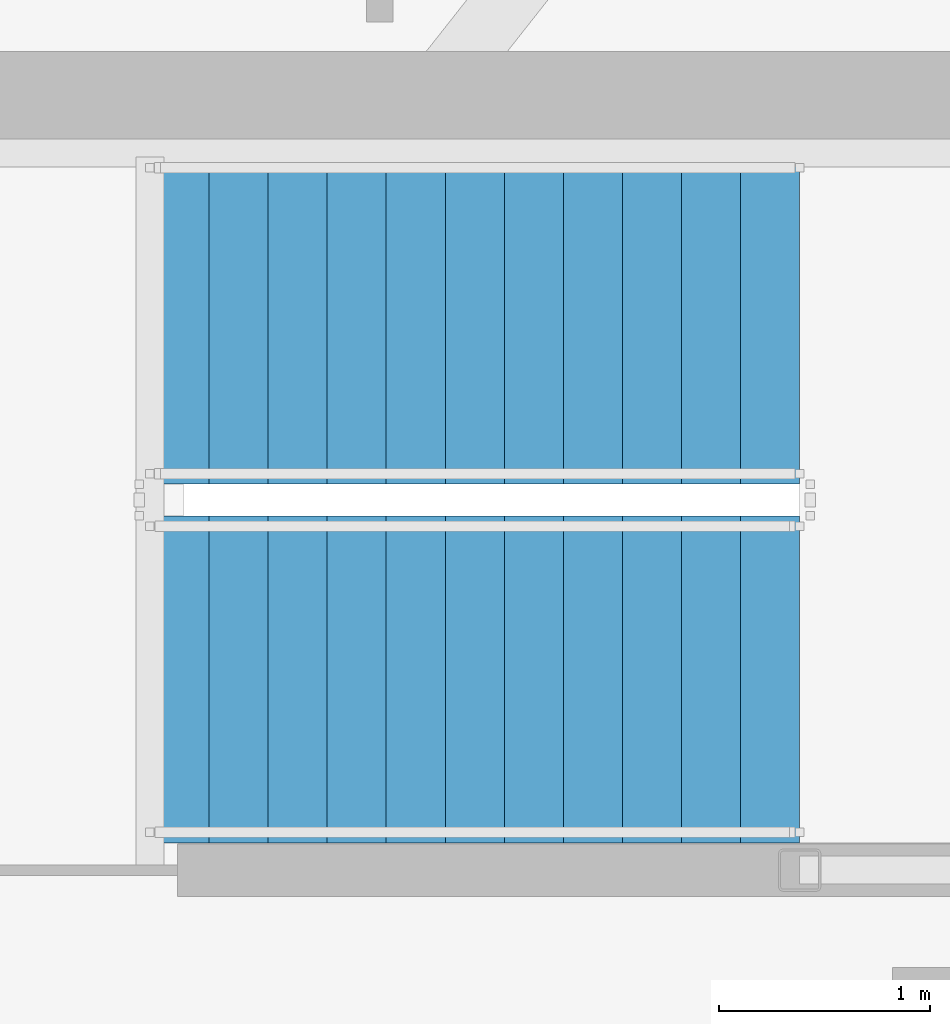
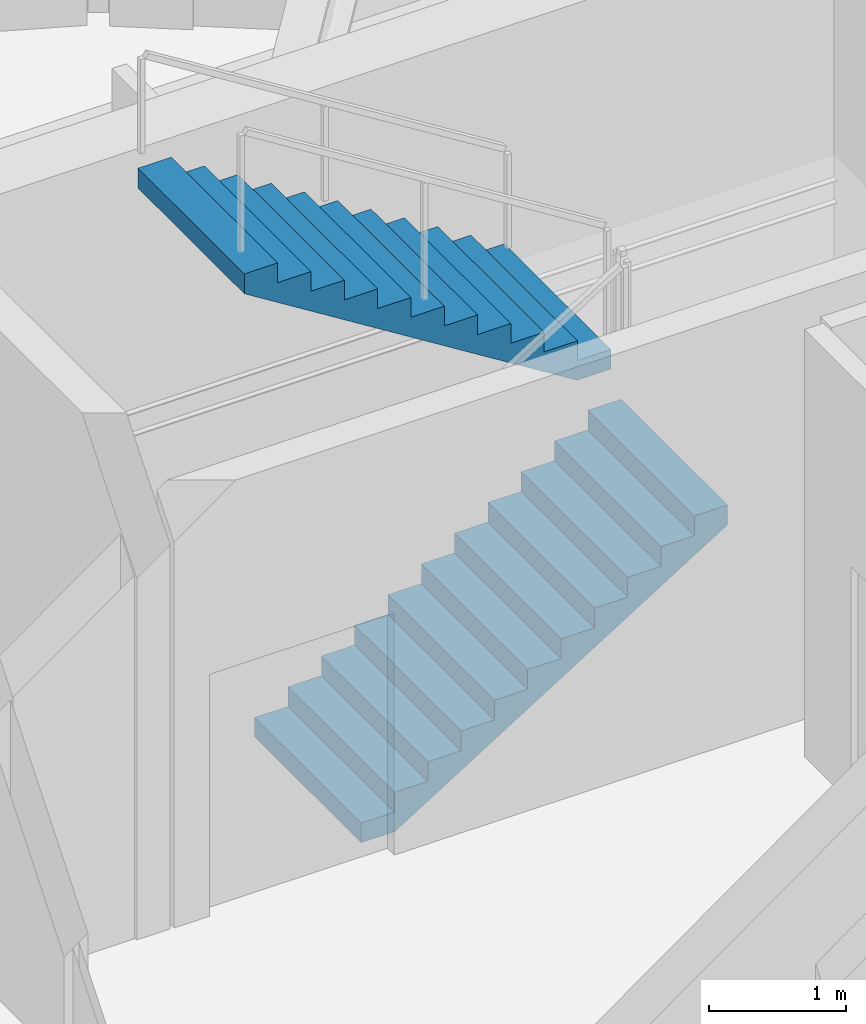
# One storey, part 14 of 19: 2 stair flights, 1 element without a shape of its own.
"""IFC4 building model written with IfcOpenShell, lengths in metres."""

import ifcopenshell
import ifcopenshell.guid

model = None  # the IFC model being written
_history = None  # IfcOwnerHistory: only IFC2X3 demands one
_inside = {}  # id of a spatial element -> (the spatial element, [elements in it])
_under = {}  # id of a project, library or spatial element -> (it, [spatial elements below it])
_declared = {}  # id of a project -> (the project, [libraries it declares])
_typed = {}  # id of a type object -> (the type object, [elements of that type])
_made_of = {}  # id of a material, layer set ... -> (it, [elements and type objects made of it])


def new_model(schema):
    """Start an empty IFC model of exactly this schema.

    Asked for "IFC4X3", IfcOpenShell would pick the latest addendum, in which some entities
    have other attributes; the version numbers below select the first issue.
    IFC2X3 requires an IfcOwnerHistory on every rooted entity: one is made here for all.
    """
    global model, _history
    if schema == "IFC4X3":
        model = ifcopenshell.file(schema_version=(4, 3, 0, 0))
    else:
        model = ifcopenshell.file(schema=schema)
    _inside.clear()
    _under.clear()
    _declared.clear()
    _typed.clear()
    _made_of.clear()
    _history = None
    if model.schema == "IFC2X3":
        org = make("IfcOrganization", Name="unknown")
        user = make(
            "IfcPersonAndOrganization",
            ThePerson=make("IfcPerson", FamilyName="unknown"),
            TheOrganization=org,
        )
        app = make(
            "IfcApplication",
            ApplicationDeveloper=org,
            Version="unknown",
            ApplicationFullName="unknown",
            ApplicationIdentifier="unknown",
        )
        _history = make(
            "IfcOwnerHistory",
            OwningUser=user,
            OwningApplication=app,
            ChangeAction="ADDED",
            CreationDate=0,
        )
    return model


def make(cls, **values):
    """One entity of the class cls with the attributes given. An attribute that is None is left unset."""
    return model.create_entity(
        cls, **{name: value for name, value in values.items() if value is not None}
    )


def rooted(cls, **values):
    """An entity with a GlobalId (a new one), such as an element, a storey or a relation."""
    return make(cls, GlobalId=ifcopenshell.guid.new(), OwnerHistory=_history, **values)


def si_unit(unit_type, name, prefix=None):
    """IfcSIUnit, for example si_unit("LENGTHUNIT", "METRE", prefix="MILLI")."""
    return make("IfcSIUnit", UnitType=unit_type, Prefix=prefix, Name=name)


def assignment(units):
    """IfcUnitAssignment: the units of a project."""
    return None if units is None else make("IfcUnitAssignment", Units=units)


def point(xyz):
    """IfcCartesianPoint."""
    return None if xyz is None else make("IfcCartesianPoint", Coordinates=xyz)


def direction(xyz):
    """IfcDirection."""
    return None if xyz is None else make("IfcDirection", DirectionRatios=xyz)


def frame(location, z_axis=None, x_axis=None):
    """IfcAxis2Placement3D, a coordinate frame: its origin and axes. An axis left out is left unset."""
    return make(
        "IfcAxis2Placement3D",
        Location=point(location),
        Axis=direction(z_axis),
        RefDirection=direction(x_axis),
    )


def origin():
    """The frame at (0, 0, 0) with its axes left unset."""
    return frame((0.0, 0.0, 0.0))


def place(relative_to, where):
    """IfcLocalPlacement: puts the frame where relative to a parent placement (None: the world)."""
    return make(
        "IfcLocalPlacement", PlacementRelTo=relative_to, RelativePlacement=where
    )


def context(
    kind, dimensions, precision=None, world=None, true_north=None, identifier=None
):
    """IfcGeometricRepresentationContext, for example the 3D "Model" context."""
    return make(
        "IfcGeometricRepresentationContext",
        ContextIdentifier=identifier,
        ContextType=kind,
        CoordinateSpaceDimension=dimensions,
        Precision=precision,
        WorldCoordinateSystem=world,
        TrueNorth=true_north,
    )


def subcontext(parent, identifier, kind, view, scale=None):
    """IfcGeometricRepresentationSubContext, for example "Body" below "Model"."""
    return make(
        "IfcGeometricRepresentationSubContext",
        ContextIdentifier=identifier,
        ContextType=kind,
        ParentContext=parent,
        TargetScale=scale,
        TargetView=view,
    )


def project(units=None, contexts=None):
    """IfcProject with its units and contexts."""
    return rooted(
        "IfcProject",
        Name="project",
        RepresentationContexts=contexts,
        UnitsInContext=assignment(units),
    )


def spatial(cls, under=None, at=None, **own):
    """A site, building, storey or space (cls), placed at a placement, below another one or the project."""
    s = rooted(cls, ObjectPlacement=at, **own)
    if under is not None:
        _under.setdefault(under.id(), (under, []))[1].append(s)
    return s


def polyline(points):
    """IfcPolyline through the points."""
    return make("IfcPolyline", Points=[point(p) for p in points])


def outline(outer, holes=None, kind="AREA"):
    """IfcArbitraryClosedProfileDef: a profile drawn as a closed curve; with holes, ...WithVoids."""
    if holes is None:
        return make("IfcArbitraryClosedProfileDef", ProfileType=kind, OuterCurve=outer)
    return make(
        "IfcArbitraryProfileDefWithVoids",
        ProfileType=kind,
        OuterCurve=outer,
        InnerCurves=holes,
    )


def extrude(swept, where, along, depth):
    """IfcExtrudedAreaSolid: the profile swept, set in the frame where, extruded along a direction by depth."""
    return make(
        "IfcExtrudedAreaSolid",
        SweptArea=swept,
        Position=where,
        ExtrudedDirection=direction(along),
        Depth=depth,
    )


def shape(context_of_items, identifier, shape_type, items):
    """IfcShapeRepresentation: the items that make up one representation, for example the "Body"."""
    return make(
        "IfcShapeRepresentation",
        ContextOfItems=context_of_items,
        RepresentationIdentifier=identifier,
        RepresentationType=shape_type,
        Items=items,
    )


def material(Name=None, Category=None):
    """IfcMaterial."""
    return make("IfcMaterial", Name=Name, Category=Category)


def made_of(thing, what):
    """Note that an element or type object is made of a material, layer set ...; save() writes the relation."""
    if what is not None:
        _made_of.setdefault(what.id(), (what, []))[1].append(thing)
    return thing


def type_object(cls, material=None, **own):
    """A type object (cls), such as IfcWallType, which elements share."""
    return made_of(rooted(cls, **own), material)


def element(
    cls,
    number,
    at=None,
    inside=None,
    cuts=None,
    type_object=None,
    material=None,
    context=None,
    identifier="Body",
    shape_type=None,
    held_by="IfcProductDefinitionShape",
    body=None,
    shapes=None,
    **own,
):
    """One element of the class cls, such as IfcWall. Its Tag is "e" and its number.

    at: its placement. inside: the storey or other place that contains it. cuts: it is an
    opening in that element (IfcRelVoidsElement). A single representation is given by context,
    identifier, shape_type and body (its items); several are given by shapes. held_by: the class
    of the entity that holds the representations. save() writes the other relations.
    """
    e = rooted(cls, Tag="e%d" % number, ObjectPlacement=at, **own)
    if body is not None:
        shapes = [shape(context, identifier, shape_type, body)]
    if shapes is not None:
        e.Representation = make(held_by, Representations=shapes)
    if inside is not None:
        _inside.setdefault(inside.id(), (inside, []))[1].append(e)
    if cuts is not None:
        rooted(
            "IfcRelVoidsElement", RelatingBuildingElement=cuts, RelatedOpeningElement=e
        )
    if type_object is not None:
        _typed.setdefault(type_object.id(), (type_object, []))[1].append(e)
    return made_of(e, material)


def aggregate(whole, parts):
    """IfcRelAggregates: a whole, such as a stair, and the parts it consists of."""
    return rooted("IfcRelAggregates", RelatingObject=whole, RelatedObjects=parts)


def save(model, path):
    """Write the relations noted so far, then the file.

    IfcRelAggregates (storeys below a building ...), IfcRelContainedInSpatialStructure (elements
    in a storey), IfcRelDefinesByType, IfcRelAssociatesMaterial and IfcRelDeclares: one each for
    every whole, place, type object, material and project.
    """
    for whole, parts in _under.values():
        aggregate(whole, parts)
    for where, things in _inside.values():
        rooted(
            "IfcRelContainedInSpatialStructure",
            RelatedElements=things,
            RelatingStructure=where,
        )
    for kind, things in _typed.values():
        rooted("IfcRelDefinesByType", RelatedObjects=things, RelatingType=kind)
    for what, things in _made_of.values():
        rooted("IfcRelAssociatesMaterial", RelatedObjects=things, RelatingMaterial=what)
    for by, libraries in _declared.values():
        rooted("IfcRelDeclares", RelatingContext=by, RelatedDefinitions=libraries)
    model.write(path)


model = new_model("IFC4")

# Units and contexts
model_context = context("Model", 3, precision=1e-05, world=origin(), true_north=direction((0.0, 1.0)))
body_context = subcontext(model_context, "Body", "Model", "MODEL_VIEW")
ifc_project = project(units=[si_unit("LENGTHUNIT", "METRE"), si_unit("AREAUNIT", "SQUARE_METRE"), si_unit("VOLUMEUNIT", "CUBIC_METRE"), si_unit("PLANEANGLEUNIT", "RADIAN"), si_unit("MASSUNIT", "GRAM", prefix="KILO")], contexts=[model_context])

# Site, building, storey
site_placement = place(None, origin())
site = spatial("IfcSite", under=ifc_project, at=site_placement, CompositionType="ELEMENT")
building_placement = place(site_placement, origin())
building = spatial("IfcBuilding", under=site, at=building_placement, Name="Kazma Halo Residences", CompositionType="ELEMENT")
storey_placement = place(building_placement, frame((0.0, 0.0, 347.300048828125)))
storey = spatial("IfcBuildingStorey", under=building, at=storey_placement, Name="L87", CompositionType="ELEMENT", Elevation=347.300048828125)

# Stair, stair flights
ifc_material = material(Name="Concrete C50/60", Category="concrete")
stair_type = type_object("IfcStairType", Name="STR-RES2", PredefinedType="HALF_TURN_STAIR", material=ifc_material)
stair_placement = place(storey_placement, origin())
stair = element("IfcStair", 1, at=stair_placement, inside=storey, type_object=stair_type, Name="L87 Core exit stair ST-02", PredefinedType="HALF_TURN_STAIR")
stair_flight_type = type_object("IfcStairFlightType", Name="STR-RES2-FLT", PredefinedType="STRAIGHT", material=ifc_material)
stair_flight_1_placement = place(storey_placement, frame((53.199951171875, 47.52490234375, 0.0), z_axis=(0.0, 0.0, 1.0), x_axis=(1.0, 0.0, 0.0)))
stair_flight_1 = element("IfcStairFlight", 2, at=stair_flight_1_placement, type_object=stair_flight_type, Name="ST-02 flight 1", NumberOfRisers=12, NumberOfTreads=11, PredefinedType="STRAIGHT", RiserHeight=0.175, TreadLength=0.28, context=body_context, shape_type="SweptSolid", body=[
    extrude(outline(polyline([(0.0, 0.0), (0.0, 0.175048828125), (0.280029296875, 0.175048828125), (0.280029296875, 0.35009765625), (0.56005859375, 0.35009765625), (0.56005859375, 0.52490234375), (0.840087890625, 0.52490234375), (0.840087890625, 0.699951171875), (1.1201171875, 0.699951171875), (1.1201171875, 0.875), (1.39990234375, 0.875), (1.39990234375, 1.050048828125), (1.679931640625, 1.050048828125), (1.679931640625, 1.22509765625), (1.9599609375, 1.22509765625), (1.9599609375, 1.39990234375), (2.239990234375, 1.39990234375), (2.239990234375, 1.574951171875), (2.52001953125, 1.574951171875), (2.52001953125, 1.75), (2.800048828125, 1.75), (2.800048828125, 1.925048828125), (3.080078125, 1.925048828125), (3.080078125, 2.10009765625), (3.080078125, 1.748291015625), (0.28271484375, 0.0), (0.0, 0.0)])), frame((0.0, 0.77490234375, 0.0), z_axis=(0.0, -1.0, 0.0), x_axis=(1.0, 0.0, 0.0)), (0.0, 0.0, 1.0), 1.550048828125),
])
stair_flight_2_placement = place(storey_placement, frame((56.280029296875, 49.22509765625, 2.099853515625), z_axis=(0.0, 0.0, 1.0), x_axis=(-1.0, 0.0, 0.0)))
stair_flight_2 = element("IfcStairFlight", 3, at=stair_flight_2_placement, type_object=stair_flight_type, Name="ST-02 flight 2", NumberOfRisers=12, NumberOfTreads=11, PredefinedType="STRAIGHT", RiserHeight=0.175, TreadLength=0.28, context=body_context, shape_type="SweptSolid", body=[
    extrude(outline(polyline([(0.0, 0.0), (0.0, 0.175048828125), (0.280029296875, 0.175048828125), (0.280029296875, 0.35009765625), (0.56005859375, 0.35009765625), (0.56005859375, 0.52490234375), (0.840087890625, 0.52490234375), (0.840087890625, 0.699951171875), (1.1201171875, 0.699951171875), (1.1201171875, 0.875), (1.39990234375, 0.875), (1.39990234375, 1.050048828125), (1.679931640625, 1.050048828125), (1.679931640625, 1.22509765625), (1.9599609375, 1.22509765625), (1.9599609375, 1.39990234375), (2.239990234375, 1.39990234375), (2.239990234375, 1.574951171875), (2.52001953125, 1.574951171875), (2.52001953125, 1.75), (2.800048828125, 1.75), (2.800048828125, 1.925048828125), (3.080078125, 1.925048828125), (3.080078125, 2.10009765625), (3.080078125, 1.748291015625), (0.28271484375, 0.0), (0.0, 0.0)])), frame((0.0, 0.77490234375, 0.0), z_axis=(0.0, -1.0, 0.0), x_axis=(1.0, 0.0, 0.0)), (0.0, 0.0, 1.0), 1.550048828125),
])
aggregate(stair, [stair_flight_1, stair_flight_2])

save(model, "model.ifc")
